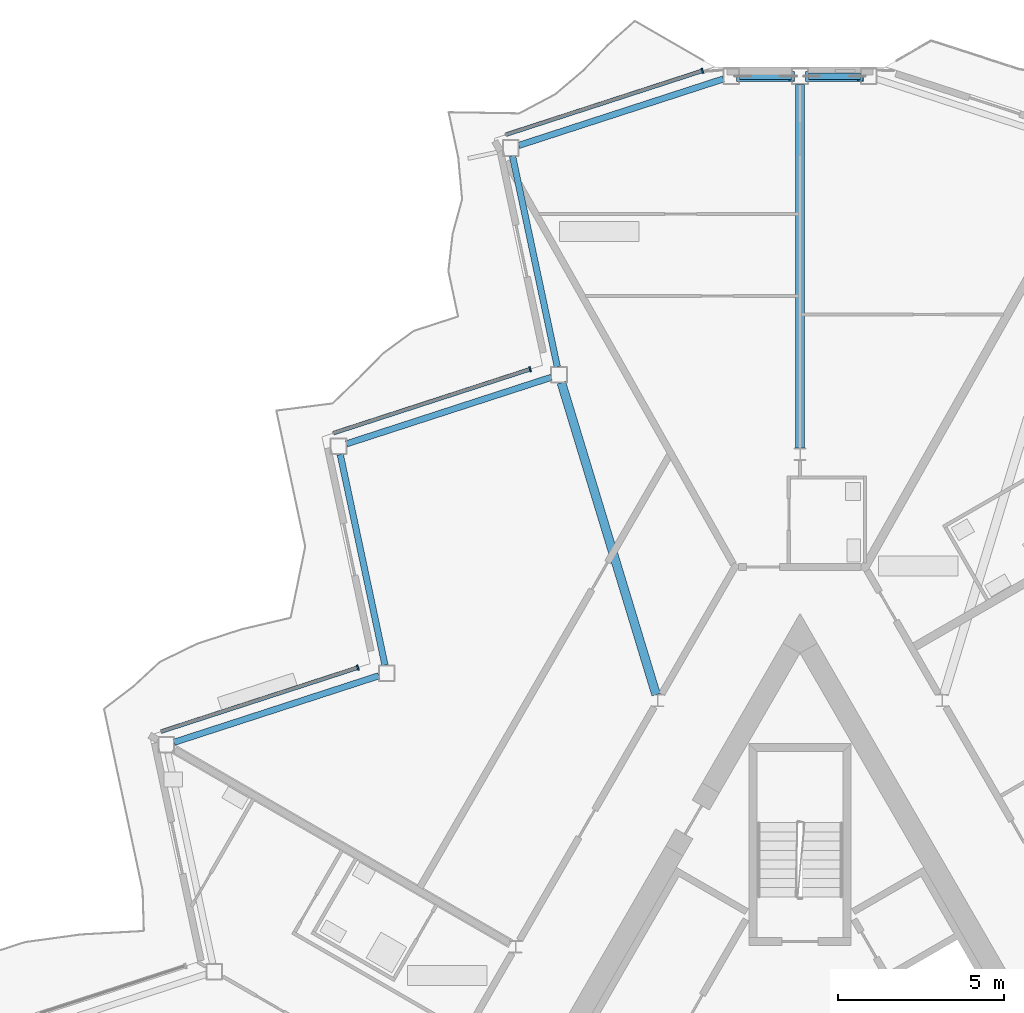
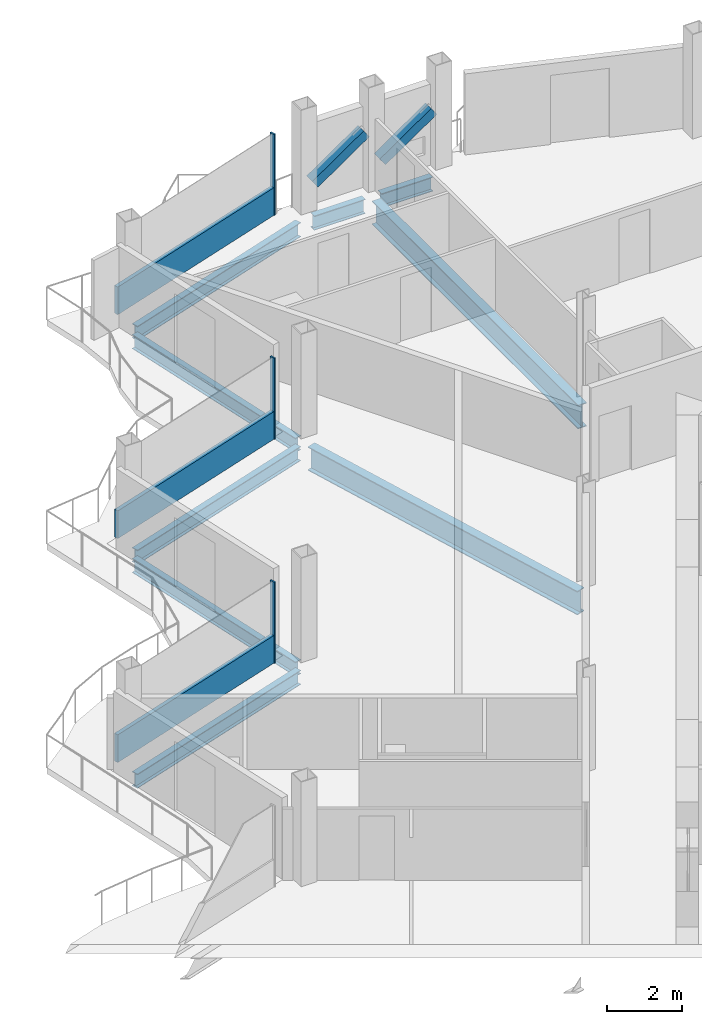
# One storey, part 9 of 26: 9 beams, 8 members, 3 elements without a shape of their own.
"""IFC4 building model written with IfcOpenShell, lengths in metres."""

from ifc_helpers import new_model, si_unit, direction, frame, origin, origin_2d, place, context, subcontext, project, spatial, rectangle, hollow_rectangle, i_section, extrude, material, layer, layer_set, material_profile, profile_set, type_object, element, aggregate, save


model = new_model("IFC4")

# Units and contexts
model_context = context("Model", 3, precision=1e-05, world=origin(), true_north=direction((0.0, 1.0)))
body_context = subcontext(model_context, "Body", "Model", "MODEL_VIEW")
ifc_project = project(units=[si_unit("LENGTHUNIT", "METRE"), si_unit("AREAUNIT", "SQUARE_METRE"), si_unit("VOLUMEUNIT", "CUBIC_METRE"), si_unit("PLANEANGLEUNIT", "RADIAN"), si_unit("MASSUNIT", "GRAM", prefix="KILO")], contexts=[model_context])

# Site, building, storey
site_placement = place(None, origin())
site = spatial("IfcSite", under=ifc_project, at=site_placement, CompositionType="ELEMENT")
building_placement = place(site_placement, origin())
building = spatial("IfcBuilding", under=site, at=building_placement, Name="Cormorant Prow Tower", CompositionType="ELEMENT")
storey_placement = place(building_placement, frame((0.0, 0.0, 371.199951171875)))
storey = spatial("IfcBuildingStorey", under=building, at=storey_placement, Name="L83", CompositionType="ELEMENT", Elevation=371.199951171875)

# Members
ifc_material_1 = material(Name="Structural steel ASTM A500 Gr C", Category="steel")
ifc_material_profile_1 = material_profile(ifc_material_1, hollow_rectangle(XDim=0.3046875, YDim=0.3046875, WallThickness=0.01171875, at=origin_2d()), Name="HSS12x12x1/2")
ifc_profile_set_1 = profile_set([ifc_material_profile_1], Name="Structural steel ASTM A500 Gr C")
member_type_1 = type_object("IfcMemberType", Name="Chamfer brace HSS12x12x1/2", PredefinedType="BRACE", material=ifc_profile_set_1)
for number, where, z_axis, x_axis, name in (
    (1, (0.246826171875, 31.219482421875, 0.770751953125), (0.822567143358, 0.0, 0.56866800039), (0.0, 1.0, 0.0), "Chamfer brace BR3 at N00 L83"),
    (2, (-1.8271484375, 31.219482421875, 0.770751953125), (0.822567143358, 0.0, 0.56866800039), (0.0, 1.0, 0.0), "Chamfer brace BR3 at N01 L83"),
):
    element("IfcMember", number, at=place(storey_placement, frame(where, z_axis=z_axis, x_axis=x_axis)), inside=storey, type_object=member_type_1, Name=name, PredefinedType="BRACE", context=body_context, shape_type="SweptSolid", body=[
        extrude(hollow_rectangle(XDim=0.3046875, YDim=0.3046875, WallThickness=0.01171875, at=origin_2d()), origin(), (0.0, 0.0, 1.0), 1.921142578125),
    ])

# Beams
ifc_material_2 = material(Name="Structural steel ASTM A992 Gr 50", Category="steel")
ifc_material_profile_2 = material_profile(ifc_material_2, i_section(OverallWidth=0.267822265625, OverallDepth=0.77001953125, WebThickness=0.015625, FlangeThickness=0.025390625, at=origin_2d()), Name="W30x132")
ifc_profile_set_2 = profile_set([ifc_material_profile_2], Name="Structural steel ASTM A992 Gr 50")
beam_type_1 = type_object("IfcBeamType", Name="Radial floor beam W30x132", PredefinedType="BEAM", material=ifc_profile_set_2)
beam_1_placement = place(storey_placement, frame((0.0, 19.998046875, -0.684814453125), z_axis=(0.0, 1.0, 0.0), x_axis=(-1.0, 0.0, 0.0)))
element("IfcBeam", 3, at=beam_1_placement, inside=storey, type_object=beam_type_1, Name="Radial floor beam FB3 1 L83", PredefinedType="BEAM", context=body_context, shape_type="SweptSolid", body=[
    extrude(i_section(OverallWidth=0.267822265625, OverallDepth=0.77001953125, WebThickness=0.015625, FlangeThickness=0.025390625, at=origin_2d()), origin(), (0.0, 0.0, 1.0), 10.971435546875),
])
beam_2_placement = place(storey_placement, frame((-4.343505859375, 12.560791015625, -0.684814453125), z_axis=(-0.290499864147, 0.956875033079, 0.0), x_axis=(-0.956875033079, -0.290499864147, 0.0)))
element("IfcBeam", 4, at=beam_2_placement, inside=storey, type_object=beam_type_1, Name="Radial floor beam FB3 2 L83", PredefinedType="BEAM", context=body_context, shape_type="SweptSolid", body=[
    extrude(i_section(OverallWidth=0.267822265625, OverallDepth=0.77001953125, WebThickness=0.015625, FlangeThickness=0.025390625, at=origin_2d()), origin(), (0.0, 0.0, 1.0), 9.837158203125),
])

# Curtain wall, member
ifc_material_3 = material(Name="Aluminium 6063-T6", Category="aluminium")
ifc_layer = layer(ifc_material_3, 0.159912109375)
ifc_layer_set = layer_set([ifc_layer], Name="Aluminium 6063-T6")
curtain_wall_type = type_object("IfcCurtainWallType", Name="Residential unitised curtain wall 160", PredefinedType="NOTDEFINED", material=ifc_layer_set)
curtain_wall_1_placement = place(storey_placement, origin())
curtain_wall_1 = element("IfcCurtainWall", 5, at=curtain_wall_1_placement, inside=storey, type_object=curtain_wall_type, Name="Residential curtain wall WNW00", PredefinedType="NOTDEFINED")
ifc_material_4 = material(Name="Aluminium 6063-T6", Category="aluminium")
ifc_material_profile_3 = material_profile(ifc_material_4, rectangle(XDim=0.159912109375, YDim=0.050048828125, at=origin_2d()), Name="Residential mullion 50x160")
ifc_profile_set_3 = profile_set([ifc_material_profile_3], Name="Aluminium 6063-T6")
member_type_2 = type_object("IfcMemberType", Name="Residential mullion 50x160", PredefinedType="MULLION", material=ifc_profile_set_3)
member_1_placement = place(storey_placement, frame((-2.946044921875, 31.3876953125, 0.0), z_axis=(0.0, 0.0, 1.0), x_axis=(0.309017024369, -0.951056506549, 0.0)))
member_1 = element("IfcMember", 6, at=member_1_placement, type_object=member_type_2, Name="Residential mullion WNW00", PredefinedType="MULLION", context=body_context, shape_type="SweptSolid", body=[
    extrude(rectangle(XDim=0.159912109375, YDim=0.050048828125, at=origin_2d()), origin(), (0.0, 0.0, 1.0), 2.634033203125),
])

curtain_wall_2_placement = place(storey_placement, origin())
curtain_wall_2 = element("IfcCurtainWall", 7, at=curtain_wall_2_placement, inside=storey, type_object=curtain_wall_type, Name="Residential curtain wall WNW02", PredefinedType="NOTDEFINED")
member_2_placement = place(storey_placement, frame((-8.14599609375, 22.380859375, 0.0), z_axis=(0.0, 0.0, 1.0), x_axis=(0.309017066365, -0.951056492904, 0.0)))
member_2 = element("IfcMember", 8, at=member_2_placement, type_object=member_type_2, Name="Residential mullion WNW02", PredefinedType="MULLION", context=body_context, shape_type="SweptSolid", body=[
    extrude(rectangle(XDim=0.159912109375, YDim=0.050048828125, at=origin_2d()), origin(), (0.0, 0.0, 1.0), 2.634033203125),
])

curtain_wall_3_placement = place(storey_placement, origin())
curtain_wall_3 = element("IfcCurtainWall", 9, at=curtain_wall_3_placement, inside=storey, type_object=curtain_wall_type, Name="Residential curtain wall WNW04", PredefinedType="NOTDEFINED")
member_3_placement = place(storey_placement, frame((-13.345947265625, 13.374267578125, 0.0), z_axis=(0.0, 0.0, 1.0), x_axis=(0.309016937108, -0.951056534902, 0.0)))
member_3 = element("IfcMember", 10, at=member_3_placement, type_object=member_type_2, Name="Residential mullion WNW04", PredefinedType="MULLION", context=body_context, shape_type="SweptSolid", body=[
    extrude(rectangle(XDim=0.159912109375, YDim=0.050048828125, at=origin_2d()), origin(), (0.0, 0.0, 1.0), 2.634033203125),
])

# Member
ifc_material_5 = material(Name="Terracotta", Category="masonry")
ifc_material_profile_4 = material_profile(ifc_material_5, rectangle(XDim=0.1201171875, YDim=0.89990234375, at=origin_2d()), Name="Residential terracotta spandrel rail 120x900")
ifc_profile_set_4 = profile_set([ifc_material_profile_4], Name="Terracotta")
member_type_3 = type_object("IfcMemberType", Name="Residential terracotta spandrel rail 120x900", PredefinedType="USERDEFINED", material=ifc_profile_set_4)
member_4_placement = place(storey_placement, frame((-2.9697265625, 31.3798828125, 0.449951171875), z_axis=(-0.951056004715, -0.309018568854, 0.0), x_axis=(0.309018568854, -0.951056004715, 0.0)))
member_4 = element("IfcMember", 11, at=member_4_placement, type_object=member_type_3, Name="Residential spandrel rail WNW00", ObjectType="TRANSOM", PredefinedType="USERDEFINED", context=body_context, shape_type="SweptSolid", body=[
    extrude(rectangle(XDim=0.1201171875, YDim=0.89990234375, at=origin_2d()), origin(), (0.0, 0.0, 1.0), 6.21533203125),
])

aggregate(curtain_wall_1, [member_1, member_4])

member_5_placement = place(storey_placement, frame((-8.169921875, 22.373291015625, 0.449951171875), z_axis=(-0.951052253526, -0.309030113522, 0.0), x_axis=(0.309030113522, -0.951052253526, 0.0)))
member_5 = element("IfcMember", 12, at=member_5_placement, type_object=member_type_3, Name="Residential spandrel rail WNW02", ObjectType="TRANSOM", PredefinedType="USERDEFINED", context=body_context, shape_type="SweptSolid", body=[
    extrude(rectangle(XDim=0.1201171875, YDim=0.89990234375, at=origin_2d()), origin(), (0.0, 0.0, 1.0), 6.215087890625),
])

aggregate(curtain_wall_2, [member_2, member_5])

member_6_placement = place(storey_placement, frame((-13.369873046875, 13.366455078125, 0.449951171875), z_axis=(-0.951056004715, -0.309018568854, 0.0), x_axis=(0.309018568854, -0.951056004715, 0.0)))
member_6 = element("IfcMember", 13, at=member_6_placement, type_object=member_type_3, Name="Residential spandrel rail WNW04", ObjectType="TRANSOM", PredefinedType="USERDEFINED", context=body_context, shape_type="SweptSolid", body=[
    extrude(rectangle(XDim=0.1201171875, YDim=0.89990234375, at=origin_2d()), origin(), (0.0, 0.0, 1.0), 6.21533203125),
])

aggregate(curtain_wall_3, [member_3, member_6])

# Beams
ifc_material_6 = material(Name="Structural steel ASTM A992 Gr 50", Category="steel")
ifc_material_profile_5 = material_profile(ifc_material_6, i_section(OverallWidth=0.19287109375, OverallDepth=0.466064453125, WebThickness=0.011474609375, FlangeThickness=0.01904296875, at=origin_2d()), Name="W18x65")
ifc_profile_set_5 = profile_set([ifc_material_profile_5], Name="Structural steel ASTM A992 Gr 50")
beam_type_2 = type_object("IfcBeamType", Name="Spandrel beam W18x65", PredefinedType="SPANDREL", material=ifc_profile_set_5)
for number, where, z_axis, x_axis, name in (
    (14, (1.82373046875, 31.219482421875, -0.532958984375), (-1.0, 0.0, 0.0), (0.0, -1.0, 0.0), "Spandrel beam SB4 N00-N01 L83"),
    (15, (-0.25, 31.219482421875, -0.532958984375), (-1.0, 0.0, 0.0), (0.0, -1.0, 0.0), "Spandrel beam SB4 N01-WNW00 L83"),
):
    element("IfcBeam", number, at=place(storey_placement, frame(where, z_axis=z_axis, x_axis=x_axis)), inside=storey, type_object=beam_type_2, Name=name, PredefinedType="SPANDREL", context=body_context, shape_type="SweptSolid", body=[
        extrude(i_section(OverallWidth=0.19287109375, OverallDepth=0.466064453125, WebThickness=0.011474609375, FlangeThickness=0.01904296875, at=origin_2d()), origin(), (0.0, 0.0, 1.0), 1.57373046875),
    ])
for number, where, z_axis, x_axis, name in (
    (16, (-2.3115234375, 31.142333984375, -0.532958984375), (-0.951056984862, -0.30901555227, 0.0), (0.30901555227, -0.951056984862, 0.0), "Spandrel beam SB4 WNW00-WNW01 L83"),
    (17, (-8.6767578125, 28.812744140625, -0.532958984375), (0.20793784774, -0.978142040543, 0.0), (0.978142040543, 0.20793784774, 0.0), "Spandrel beam SB4 WNW01-WNW02 L83"),
):
    element("IfcBeam", number, at=place(storey_placement, frame(where, z_axis=z_axis, x_axis=x_axis)), inside=storey, type_object=beam_type_2, Name=name, PredefinedType="SPANDREL", context=body_context, shape_type="SweptSolid", body=[
        extrude(i_section(OverallWidth=0.19287109375, OverallDepth=0.466064453125, WebThickness=0.011474609375, FlangeThickness=0.01904296875, at=origin_2d()), origin(), (0.0, 0.0, 1.0), 6.49755859375),
    ])
beam_3_placement = place(storey_placement, frame((-7.511474609375, 22.135498046875, -0.532958984375), z_axis=(-0.951068027308, -0.308981564875, 0.0), x_axis=(0.308981564875, -0.951068027308, 0.0)))
element("IfcBeam", 18, at=beam_3_placement, inside=storey, type_object=beam_type_2, Name="Spandrel beam SB4 WNW02-WNW03 L83", PredefinedType="SPANDREL", context=body_context, shape_type="SweptSolid", body=[
    extrude(i_section(OverallWidth=0.19287109375, OverallDepth=0.466064453125, WebThickness=0.011474609375, FlangeThickness=0.01904296875, at=origin_2d()), origin(), (0.0, 0.0, 1.0), 6.497314453125),
])
beam_4_placement = place(storey_placement, frame((-13.876708984375, 19.80615234375, -0.532958984375), z_axis=(0.207901897373, -0.978149682344, 0.0), x_axis=(0.978149682344, 0.207901897373, 0.0)))
element("IfcBeam", 19, at=beam_4_placement, inside=storey, type_object=beam_type_2, Name="Spandrel beam SB4 WNW03-WNW04 L83", PredefinedType="SPANDREL", context=body_context, shape_type="SweptSolid", body=[
    extrude(i_section(OverallWidth=0.19287109375, OverallDepth=0.466064453125, WebThickness=0.011474609375, FlangeThickness=0.01904296875, at=origin_2d()), origin(), (0.0, 0.0, 1.0), 6.49755859375),
])
beam_5_placement = place(storey_placement, frame((-12.711669921875, 13.12890625, -0.532958984375), z_axis=(-0.951053396625, -0.309026595569, 0.0), x_axis=(0.309026595569, -0.951053396625, 0.0)))
element("IfcBeam", 20, at=beam_5_placement, inside=storey, type_object=beam_type_2, Name="Spandrel beam SB4 WNW04-WNW05 L83", PredefinedType="SPANDREL", context=body_context, shape_type="SweptSolid", body=[
    extrude(i_section(OverallWidth=0.19287109375, OverallDepth=0.466064453125, WebThickness=0.011474609375, FlangeThickness=0.01904296875, at=origin_2d()), origin(), (0.0, 0.0, 1.0), 6.497314453125),
])

save(model, "model.ifc")
